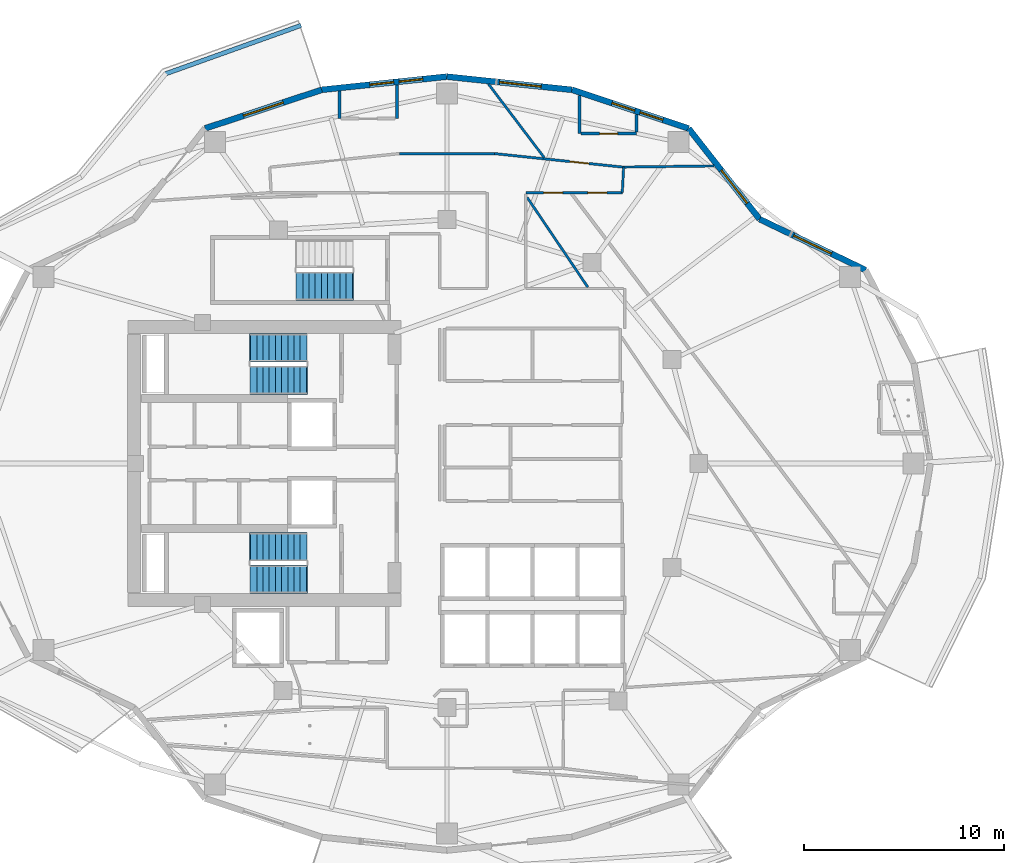
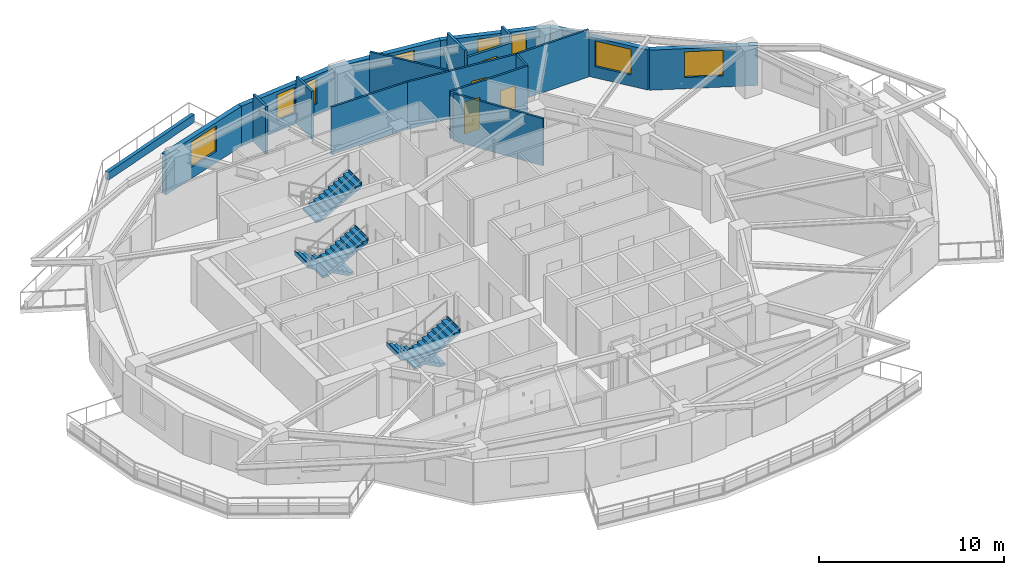
# One storey, part 7 of 17: 19 walls, 8 windows, 5 stair flights, 4 doors, 12 openings, 3 elements without a shape of their own.
"""IFC4 building model written with IfcOpenShell, lengths in metres."""

import ifcopenshell
import ifcopenshell.guid

model = None  # the IFC model being written
_history = None  # IfcOwnerHistory: only IFC2X3 demands one
_inside = {}  # id of a spatial element -> (the spatial element, [elements in it])
_under = {}  # id of a project, library or spatial element -> (it, [spatial elements below it])
_declared = {}  # id of a project -> (the project, [libraries it declares])
_typed = {}  # id of a type object -> (the type object, [elements of that type])
_made_of = {}  # id of a material, layer set ... -> (it, [elements and type objects made of it])


def new_model(schema):
    """Start an empty IFC model of exactly this schema.

    Asked for "IFC4X3", IfcOpenShell would pick the latest addendum, in which some entities
    have other attributes; the version numbers below select the first issue.
    IFC2X3 requires an IfcOwnerHistory on every rooted entity: one is made here for all.
    """
    global model, _history
    if schema == "IFC4X3":
        model = ifcopenshell.file(schema_version=(4, 3, 0, 0))
    else:
        model = ifcopenshell.file(schema=schema)
    _inside.clear()
    _under.clear()
    _declared.clear()
    _typed.clear()
    _made_of.clear()
    _history = None
    if model.schema == "IFC2X3":
        org = make("IfcOrganization", Name="unknown")
        user = make(
            "IfcPersonAndOrganization",
            ThePerson=make("IfcPerson", FamilyName="unknown"),
            TheOrganization=org,
        )
        app = make(
            "IfcApplication",
            ApplicationDeveloper=org,
            Version="unknown",
            ApplicationFullName="unknown",
            ApplicationIdentifier="unknown",
        )
        _history = make(
            "IfcOwnerHistory",
            OwningUser=user,
            OwningApplication=app,
            ChangeAction="ADDED",
            CreationDate=0,
        )
    return model


def make(cls, **values):
    """One entity of the class cls with the attributes given. An attribute that is None is left unset."""
    return model.create_entity(
        cls, **{name: value for name, value in values.items() if value is not None}
    )


def rooted(cls, **values):
    """An entity with a GlobalId (a new one), such as an element, a storey or a relation."""
    return make(cls, GlobalId=ifcopenshell.guid.new(), OwnerHistory=_history, **values)


def si_unit(unit_type, name, prefix=None):
    """IfcSIUnit, for example si_unit("LENGTHUNIT", "METRE", prefix="MILLI")."""
    return make("IfcSIUnit", UnitType=unit_type, Prefix=prefix, Name=name)


def assignment(units):
    """IfcUnitAssignment: the units of a project."""
    return None if units is None else make("IfcUnitAssignment", Units=units)


def point(xyz):
    """IfcCartesianPoint."""
    return None if xyz is None else make("IfcCartesianPoint", Coordinates=xyz)


def direction(xyz):
    """IfcDirection."""
    return None if xyz is None else make("IfcDirection", DirectionRatios=xyz)


def frame(location, z_axis=None, x_axis=None):
    """IfcAxis2Placement3D, a coordinate frame: its origin and axes. An axis left out is left unset."""
    return make(
        "IfcAxis2Placement3D",
        Location=point(location),
        Axis=direction(z_axis),
        RefDirection=direction(x_axis),
    )


def frame_2d(location, x_axis=None):
    """IfcAxis2Placement2D, a coordinate frame in the plane: its origin and x axis."""
    return make(
        "IfcAxis2Placement2D", Location=point(location), RefDirection=direction(x_axis)
    )


def origin():
    """The frame at (0, 0, 0) with its axes left unset."""
    return frame((0.0, 0.0, 0.0))


def place(relative_to, where):
    """IfcLocalPlacement: puts the frame where relative to a parent placement (None: the world)."""
    return make(
        "IfcLocalPlacement", PlacementRelTo=relative_to, RelativePlacement=where
    )


def context(
    kind, dimensions, precision=None, world=None, true_north=None, identifier=None
):
    """IfcGeometricRepresentationContext, for example the 3D "Model" context."""
    return make(
        "IfcGeometricRepresentationContext",
        ContextIdentifier=identifier,
        ContextType=kind,
        CoordinateSpaceDimension=dimensions,
        Precision=precision,
        WorldCoordinateSystem=world,
        TrueNorth=true_north,
    )


def subcontext(parent, identifier, kind, view, scale=None):
    """IfcGeometricRepresentationSubContext, for example "Body" below "Model"."""
    return make(
        "IfcGeometricRepresentationSubContext",
        ContextIdentifier=identifier,
        ContextType=kind,
        ParentContext=parent,
        TargetScale=scale,
        TargetView=view,
    )


def project(units=None, contexts=None):
    """IfcProject with its units and contexts."""
    return rooted(
        "IfcProject",
        Name="project",
        RepresentationContexts=contexts,
        UnitsInContext=assignment(units),
    )


def spatial(cls, under=None, at=None, **own):
    """A site, building, storey or space (cls), placed at a placement, below another one or the project."""
    s = rooted(cls, ObjectPlacement=at, **own)
    if under is not None:
        _under.setdefault(under.id(), (under, []))[1].append(s)
    return s


def polyline(points):
    """IfcPolyline through the points."""
    return make("IfcPolyline", Points=[point(p) for p in points])


def profile(cls, at=None, kind="AREA", **sizes):
    """A parametric profile (cls). Its sizes go by their IFC names, for example OverallWidth=200.0."""
    return make(cls, ProfileType=kind, Position=at, **sizes)


def rectangle(**sizes):
    """IfcRectangleProfileDef."""
    return profile("IfcRectangleProfileDef", **sizes)


def outline(outer, holes=None, kind="AREA"):
    """IfcArbitraryClosedProfileDef: a profile drawn as a closed curve; with holes, ...WithVoids."""
    if holes is None:
        return make("IfcArbitraryClosedProfileDef", ProfileType=kind, OuterCurve=outer)
    return make(
        "IfcArbitraryProfileDefWithVoids",
        ProfileType=kind,
        OuterCurve=outer,
        InnerCurves=holes,
    )


def extrude(swept, where, along, depth):
    """IfcExtrudedAreaSolid: the profile swept, set in the frame where, extruded along a direction by depth."""
    return make(
        "IfcExtrudedAreaSolid",
        SweptArea=swept,
        Position=where,
        ExtrudedDirection=direction(along),
        Depth=depth,
    )


def shape(context_of_items, identifier, shape_type, items):
    """IfcShapeRepresentation: the items that make up one representation, for example the "Body"."""
    return make(
        "IfcShapeRepresentation",
        ContextOfItems=context_of_items,
        RepresentationIdentifier=identifier,
        RepresentationType=shape_type,
        Items=items,
    )


def material(Name=None, Category=None):
    """IfcMaterial."""
    return make("IfcMaterial", Name=Name, Category=Category)


def layer(
    of_material, thickness, ventilated=None, Name=None, Category=None, Priority=None
):
    """IfcMaterialLayer: one layer of a wall or slab, of a material (None: an air gap)."""
    return make(
        "IfcMaterialLayer",
        Material=of_material,
        LayerThickness=thickness,
        IsVentilated=ventilated,
        Name=Name,
        Category=Category,
        Priority=Priority,
    )


def layer_set(layers, Name=None):
    """IfcMaterialLayerSet."""
    return make("IfcMaterialLayerSet", MaterialLayers=layers, LayerSetName=Name)


def made_of(thing, what):
    """Note that an element or type object is made of a material, layer set ...; save() writes the relation."""
    if what is not None:
        _made_of.setdefault(what.id(), (what, []))[1].append(thing)
    return thing


def type_object(cls, material=None, **own):
    """A type object (cls), such as IfcWallType, which elements share."""
    return made_of(rooted(cls, **own), material)


def element(
    cls,
    number,
    at=None,
    inside=None,
    cuts=None,
    type_object=None,
    material=None,
    context=None,
    identifier="Body",
    shape_type=None,
    held_by="IfcProductDefinitionShape",
    body=None,
    shapes=None,
    **own,
):
    """One element of the class cls, such as IfcWall. Its Tag is "e" and its number.

    at: its placement. inside: the storey or other place that contains it. cuts: it is an
    opening in that element (IfcRelVoidsElement). A single representation is given by context,
    identifier, shape_type and body (its items); several are given by shapes. held_by: the class
    of the entity that holds the representations. save() writes the other relations.
    """
    e = rooted(cls, Tag="e%d" % number, ObjectPlacement=at, **own)
    if body is not None:
        shapes = [shape(context, identifier, shape_type, body)]
    if shapes is not None:
        e.Representation = make(held_by, Representations=shapes)
    if inside is not None:
        _inside.setdefault(inside.id(), (inside, []))[1].append(e)
    if cuts is not None:
        rooted(
            "IfcRelVoidsElement", RelatingBuildingElement=cuts, RelatedOpeningElement=e
        )
    if type_object is not None:
        _typed.setdefault(type_object.id(), (type_object, []))[1].append(e)
    return made_of(e, material)


def fill(opening, filler):
    """IfcRelFillsElement: the door or window that sits in an opening."""
    return rooted(
        "IfcRelFillsElement",
        RelatingOpeningElement=opening,
        RelatedBuildingElement=filler,
    )


def aggregate(whole, parts):
    """IfcRelAggregates: a whole, such as a stair, and the parts it consists of."""
    return rooted("IfcRelAggregates", RelatingObject=whole, RelatedObjects=parts)


def save(model, path):
    """Write the relations noted so far, then the file.

    IfcRelAggregates (storeys below a building ...), IfcRelContainedInSpatialStructure (elements
    in a storey), IfcRelDefinesByType, IfcRelAssociatesMaterial and IfcRelDeclares: one each for
    every whole, place, type object, material and project.
    """
    for whole, parts in _under.values():
        aggregate(whole, parts)
    for where, things in _inside.values():
        rooted(
            "IfcRelContainedInSpatialStructure",
            RelatedElements=things,
            RelatingStructure=where,
        )
    for kind, things in _typed.values():
        rooted("IfcRelDefinesByType", RelatedObjects=things, RelatingType=kind)
    for what, things in _made_of.values():
        rooted("IfcRelAssociatesMaterial", RelatedObjects=things, RelatingMaterial=what)
    for by, libraries in _declared.values():
        rooted("IfcRelDeclares", RelatingContext=by, RelatedDefinitions=libraries)
    model.write(path)


model = new_model("IFC4")

# Units and contexts
model_context = context("Model", 3, precision=1e-05, world=origin(), true_north=direction((0.0, 1.0)))
body_context = subcontext(model_context, "Body", "Model", "MODEL_VIEW")
ifc_project = project(units=[si_unit("LENGTHUNIT", "METRE"), si_unit("AREAUNIT", "SQUARE_METRE"), si_unit("VOLUMEUNIT", "CUBIC_METRE"), si_unit("PLANEANGLEUNIT", "RADIAN"), si_unit("MASSUNIT", "GRAM", prefix="KILO")], contexts=[model_context])

# Site, building, storey
site_placement = place(None, origin())
site = spatial("IfcSite", under=ifc_project, at=site_placement, CompositionType="ELEMENT")
building_placement = place(site_placement, origin())
building = spatial("IfcBuilding", under=site, at=building_placement, Name="Kolvaren Gate Tower and Convention Centre", CompositionType="ELEMENT")
storey_placement = place(building_placement, frame((0.0, 0.0, 125.699951171875)))
storey = spatial("IfcBuildingStorey", under=building, at=storey_placement, Name="L31", CompositionType="ELEMENT", Elevation=125.699951171875)

# Wall, openings, doors
ifc_material_1 = material(Name="Fire-Rated Acoustic Gypsum Stud Partition", Category="gypsum")
ifc_layer_1 = layer(ifc_material_1, 0.1201171875)
ifc_layer_set_1 = layer_set([ifc_layer_1], Name="Fire-Rated Acoustic Gypsum Stud Partition")
wall_type_1 = type_object("IfcWallType", Name="ARCH-WL-PART-120", PredefinedType="PARTITIONING", material=ifc_layer_set_1)
wall_1_placement = place(storey_placement, frame((34.080078125, 40.550048828125, 0.0), z_axis=(0.0, 0.0, 1.0), x_axis=(1.0, 0.0, 0.0)))
wall_1 = element("IfcWall", 1, at=wall_1_placement, inside=storey, type_object=wall_type_1, Name="Interior Partition WL-L31-INT-049", PredefinedType="PARTITIONING", context=body_context, shape_type="SweptSolid", body=[
    extrude(rectangle(XDim=4.81982421875, YDim=0.1201171875, at=frame_2d((2.409912109375, 0.0))), origin(), (0.0, 0.0, 1.0), 3.130126953125),
])
opening_1_placement = place(wall_1_placement, frame((0.881103515625, 0.0, 0.0)))
opening_1 = element("IfcOpeningElement", 2, at=opening_1_placement, cuts=wall_1, Name="Opening DR-01", PredefinedType="OPENING", context=body_context, shape_type="SweptSolid", body=[
    extrude(rectangle(XDim=0.949951171875, YDim=2.10009765625, at=frame_2d((0.47509765625, 1.050048828125))), frame((0.0, 0.070068359375, 0.0), z_axis=(0.0, -1.0, 0.0), x_axis=(1.0, 0.0, 0.0)), (0.0, 0.0, 1.0), 0.14013671875),
])
opening_2_placement = place(wall_1_placement, frame((3.099853515625, 0.0, 0.0)))
opening_2 = element("IfcOpeningElement", 3, at=opening_2_placement, cuts=wall_1, Name="Opening DR-01", PredefinedType="OPENING", context=body_context, shape_type="SweptSolid", body=[
    extrude(rectangle(XDim=0.949951171875, YDim=2.10009765625, at=frame_2d((0.47509765625, 1.050048828125))), frame((0.0, 0.070068359375, 0.0), z_axis=(0.0, -1.0, 0.0), x_axis=(1.0, 0.0, 0.0)), (0.0, 0.0, 1.0), 0.14013671875),
])
ifc_material_2 = material(Name="Painted Architectural Steelwork ASTM A500 Grade C 345 MPa", Category="steel")
door_type_1 = type_object("IfcDoorType", Name="ARCH-DR-RISER-950", OperationType="SINGLE_SWING_RIGHT", PredefinedType="DOOR", material=ifc_material_2)
door_1_placement = place(opening_1_placement, origin())
door_1 = element("IfcDoor", 4, at=door_1_placement, inside=storey, type_object=door_type_1, Name="Deluxe Hotel Suite (HTL-L31-05) Door", OperationType="SINGLE_SWING_RIGHT", OverallHeight=2.10009765625, OverallWidth=0.949951171875, PredefinedType="DOOR", context=body_context, shape_type="SweptSolid", body=[
    extrude(rectangle(XDim=0.949951171875, YDim=2.10009765625, at=frame_2d((0.47509765625, 1.050048828125))), frame((0.0, 0.02490234375, 0.0), z_axis=(0.0, -1.0, 0.0), x_axis=(1.0, 0.0, 0.0)), (0.0, 0.0, 1.0), 0.050048828125),
])
fill(opening_1, door_1)
door_2_placement = place(opening_2_placement, origin())
door_2 = element("IfcDoor", 5, at=door_2_placement, inside=storey, type_object=door_type_1, Name="Deluxe Hotel Suite (HTL-L31-06) Door", OperationType="SINGLE_SWING_LEFT", OverallHeight=2.10009765625, OverallWidth=0.949951171875, PredefinedType="DOOR", context=body_context, shape_type="SweptSolid", body=[
    extrude(rectangle(XDim=0.949951171875, YDim=2.10009765625, at=frame_2d((0.47509765625, 1.050048828125))), frame((0.0, 0.02490234375, 0.0), z_axis=(0.0, -1.0, 0.0), x_axis=(1.0, 0.0, 0.0)), (0.0, 0.0, 1.0), 0.050048828125),
])
fill(opening_2, door_2)

# Wall
wall_2_placement = place(storey_placement, frame((27.7490234375, 42.5, 0.0), z_axis=(0.0, 0.0, 1.0), x_axis=(1.0, 0.0, 0.0)))
element("IfcWall", 6, at=wall_2_placement, inside=storey, type_object=wall_type_1, Name="Interior Partition WL-L31-INT-051", PredefinedType="PARTITIONING", context=body_context, shape_type="SweptSolid", body=[
    extrude(rectangle(XDim=4.751953125, YDim=0.1201171875, at=frame_2d((2.3759765625, 0.0))), origin(), (0.0, 0.0, 1.0), 3.130126953125),
])

# Wall, opening, door
wall_3_placement = place(storey_placement, frame((32.5009765625, 42.5, 0.0), z_axis=(0.0, 0.0, 1.0), x_axis=(0.994501131299, -0.104725831799, 0.0)))
wall_3 = element("IfcWall", 7, at=wall_3_placement, inside=storey, type_object=wall_type_1, Name="Interior Partition WL-L31-INT-052", PredefinedType="PARTITIONING", context=body_context, shape_type="SweptSolid", body=[
    extrude(rectangle(XDim=6.501708984375, YDim=0.1201171875, at=frame_2d((3.2509765625, 0.0))), origin(), (0.0, 0.0, 1.0), 3.130126953125),
])
opening_3_placement = place(wall_3_placement, frame((3.805908203125, 0.0, 0.0)))
opening_3 = element("IfcOpeningElement", 8, at=opening_3_placement, cuts=wall_3, Name="Opening DR-01", PredefinedType="OPENING", context=body_context, shape_type="SweptSolid", body=[
    extrude(rectangle(XDim=0.949951171875, YDim=2.10009765625, at=frame_2d((0.47509765625, 1.050048828125))), frame((0.0, 0.070068359375, 0.0), z_axis=(0.0, -1.0, 0.0), x_axis=(1.0, 0.0, 0.0)), (0.0, 0.0, 1.0), 0.14013671875),
])
door_3_placement = place(opening_3_placement, origin())
door_3 = element("IfcDoor", 9, at=door_3_placement, inside=storey, type_object=door_type_1, Name="Deluxe Hotel Suite (HTL-L31-07) Door", OperationType="SINGLE_SWING_RIGHT", OverallHeight=2.10009765625, OverallWidth=0.949951171875, PredefinedType="DOOR", context=body_context, shape_type="SweptSolid", body=[
    extrude(rectangle(XDim=0.949951171875, YDim=2.10009765625, at=frame_2d((0.47509765625, 1.050048828125))), frame((0.0, 0.02490234375, 0.0), z_axis=(0.0, -1.0, 0.0), x_axis=(1.0, 0.0, 0.0)), (0.0, 0.0, 1.0), 0.050048828125),
])
fill(opening_3, door_3)

# Walls
wall_4_placement = place(storey_placement, frame((38.89990234375, 40.550048828125, 0.0), z_axis=(0.0, 0.0, 1.0), x_axis=(0.052851358225, 0.99860239031, 0.0)))
element("IfcWall", 10, at=wall_4_placement, inside=storey, type_object=wall_type_1, Name="Interior Partition WL-L31-INT-053", PredefinedType="PARTITIONING", context=body_context, shape_type="SweptSolid", body=[
    extrude(rectangle(XDim=1.270263671875, YDim=0.1201171875, at=frame_2d((0.63525390625, 0.0))), origin(), (0.0, 0.0, 1.0), 3.130126953125),
])
wall_5_placement = place(storey_placement, frame((34.14208984375, 40.308349609375, 0.0), z_axis=(0.0, 0.0, 1.0), x_axis=(0.559921687953, -0.828545534874, 0.0)))
element("IfcWall", 11, at=wall_5_placement, inside=storey, type_object=wall_type_1, Name="Interior Partition WL-L31-INT-066", PredefinedType="PARTITIONING", context=body_context, shape_type="SweptSolid", body=[
    extrude(rectangle(XDim=5.4267578125, YDim=0.1201171875, at=frame_2d((2.71337890625, 0.0))), origin(), (0.0, 0.0, 1.0), 3.130126953125),
])
wall_6_placement = place(storey_placement, frame((32.207275390625, 45.977783203125, 0.0), z_axis=(0.0, 0.0, 1.0), x_axis=(0.604029804545, -0.796961727576, 0.0)))
element("IfcWall", 12, at=wall_6_placement, inside=storey, type_object=wall_type_1, Name="Interior Partition WL-L31-INT-068", PredefinedType="PARTITIONING", context=body_context, shape_type="SweptSolid", body=[
    extrude(rectangle(XDim=4.614990234375, YDim=0.1201171875, at=frame_2d((2.3076171875, 0.0))), origin(), (0.0, 0.0, 1.0), 3.130126953125),
])
wall_7_placement = place(storey_placement, frame((38.967529296875, 41.824951171875, 0.0), z_axis=(0.0, 0.0, 1.0), x_axis=(0.999918287649, 0.012783505997, 0.0)))
element("IfcWall", 13, at=wall_7_placement, inside=storey, type_object=wall_type_1, Name="Interior Partition WL-L31-INT-073", PredefinedType="PARTITIONING", context=body_context, shape_type="SweptSolid", body=[
    extrude(rectangle(XDim=4.5263671875, YDim=0.1201171875, at=frame_2d((2.26318359375, 0.0))), origin(), (0.0, 0.0, 1.0), 3.130126953125),
])
ifc_material_3 = material(Name="Piedmont Cream Honed Limestone Cladding", Category="masonry")
ifc_layer_2 = layer(ifc_material_3, 0.219970703125)
ifc_layer_set_2 = layer_set([ifc_layer_2], Name="Piedmont Cream Honed Limestone Cladding")
wall_type_2 = type_object("IfcWallType", Name="ARCH-WL-PLANTER-220", PredefinedType="PARAPET", material=ifc_layer_set_2)
wall_8_placement = place(storey_placement, frame((16.01806640625, 46.476806640625, 0.0), z_axis=(0.0, 0.0, 1.0), x_axis=(0.941628873241, 0.336652736627, 0.0)))
element("IfcWall", 14, at=wall_8_placement, inside=storey, type_object=wall_type_2, Name="Vertical-Forest Balcony Stone Planter Kerb PK-L31-1.1", PredefinedType="PARAPET", context=body_context, shape_type="SweptSolid", body=[
    extrude(rectangle(XDim=7.2353515625, YDim=0.219970703125, at=frame_2d((3.61767578125, 0.0))), origin(), (0.0, 0.0, 1.0), 0.52001953125),
])

# Wall, opening, window
ifc_layer_3 = layer(ifc_material_3, 0.300048828125)
ifc_layer_set_3 = layer_set([ifc_layer_3], Name="Piedmont Cream Honed Limestone Cladding")
wall_type_3 = type_object("IfcWallType", Name="ARCH-WL-STONE-300", PredefinedType="SOLIDWALL", material=ifc_layer_set_3)
wall_9_placement = place(storey_placement, frame((45.768798828125, 39.222900390625, 0.0), z_axis=(0.0, 0.0, 1.0), x_axis=(0.901370184739, -0.433049408339, 0.0)))
wall_9 = element("IfcWall", 15, at=wall_9_placement, inside=storey, type_object=wall_type_3, Name="Tower L31 Honed Stone Spandrel Wall EW-02", PredefinedType="SOLIDWALL", context=body_context, shape_type="SweptSolid", body=[
    extrude(rectangle(XDim=5.883544921875, YDim=0.300048828125, at=frame_2d((2.94189453125, 0.0))), origin(), (0.0, 0.0, 1.0), 2.653076171875),
])
opening_4_placement = place(wall_9_placement, frame((1.89208984375, 0.0, 0.739990234375)))
opening_4 = element("IfcOpeningElement", 16, at=opening_4_placement, cuts=wall_9, Name="Opening W-02", PredefinedType="OPENING", context=body_context, shape_type="SweptSolid", body=[
    extrude(rectangle(XDim=2.10009765625, YDim=1.699951171875, at=frame_2d((1.050048828125, 0.85009765625))), frame((0.0, 0.159912109375, 0.0), z_axis=(0.0, -1.0, 0.0), x_axis=(1.0, 0.0, 0.0)), (0.0, 0.0, 1.0), 0.320068359375),
])
ifc_material_4 = material(Name="Low-E Triple Insulated Glazing Unit 44 mm", Category="glass")
window_type_1 = type_object("IfcWindowType", Name="ARCH-WN-HTL-2100", PartitioningType="SINGLE_PANEL", PredefinedType="WINDOW", material=ifc_material_4)
window_1_placement = place(opening_4_placement, origin())
window_1 = element("IfcWindow", 17, at=window_1_placement, inside=storey, type_object=window_type_1, Name="Tower L31 Punched Stone Facade Window W-02", OverallHeight=1.699951171875, OverallWidth=2.10009765625, PartitioningType="SINGLE_PANEL", PredefinedType="WINDOW", context=body_context, shape_type="SweptSolid", body=[
    extrude(rectangle(XDim=2.10009765625, YDim=1.699951171875, at=frame_2d((1.050048828125, 0.85009765625))), frame((0.0, 0.030029296875, 0.0), z_axis=(0.0, -1.0, 0.0), x_axis=(1.0, 0.0, 0.0)), (0.0, 0.0, 1.0), 0.06005859375),
])
fill(opening_4, window_1)

wall_10_placement = place(storey_placement, frame((42.21875, 43.757568359375, 0.0), z_axis=(0.0, 0.0, 1.0), x_axis=(0.616435134162, -0.787405693001, 0.0)))
wall_10 = element("IfcWall", 18, at=wall_10_placement, inside=storey, type_object=wall_type_3, Name="Tower L31 Honed Stone Spandrel Wall EW-03", PredefinedType="SOLIDWALL", context=body_context, shape_type="SweptSolid", body=[
    extrude(rectangle(XDim=5.759033203125, YDim=0.300048828125, at=frame_2d((2.87939453125, 0.0))), origin(), (0.0, 0.0, 1.0), 2.653076171875),
])
opening_5_placement = place(wall_10_placement, frame((2.64990234375, 0.0, 0.739990234375)))
opening_5 = element("IfcOpeningElement", 19, at=opening_5_placement, cuts=wall_10, Name="Opening W-02", PredefinedType="OPENING", context=body_context, shape_type="SweptSolid", body=[
    extrude(rectangle(XDim=2.10009765625, YDim=1.699951171875, at=frame_2d((1.050048828125, 0.85009765625))), frame((0.0, 0.159912109375, 0.0), z_axis=(0.0, -1.0, 0.0), x_axis=(1.0, 0.0, 0.0)), (0.0, 0.0, 1.0), 0.320068359375),
])
window_2_placement = place(opening_5_placement, origin())
window_2 = element("IfcWindow", 20, at=window_2_placement, inside=storey, type_object=window_type_1, Name="Tower L31 Punched Stone Facade Window W-03", OverallHeight=1.699951171875, OverallWidth=2.10009765625, PartitioningType="SINGLE_PANEL", PredefinedType="WINDOW", context=body_context, shape_type="SweptSolid", body=[
    extrude(rectangle(XDim=2.10009765625, YDim=1.699951171875, at=frame_2d((1.050048828125, 0.85009765625))), frame((0.0, 0.030029296875, 0.0), z_axis=(0.0, -1.0, 0.0), x_axis=(1.0, 0.0, 0.0)), (0.0, 0.0, 1.0), 0.06005859375),
])
fill(opening_5, window_2)

# Wall, openings, windows
wall_11_placement = place(storey_placement, frame((36.38525390625, 45.690673828125, 0.0), z_axis=(0.0, 0.0, 1.0), x_axis=(0.949238009374, -0.314558741032, 0.0)))
wall_11 = element("IfcWall", 21, at=wall_11_placement, inside=storey, type_object=wall_type_3, Name="Tower L31 Honed Stone Spandrel Wall EW-04", PredefinedType="SOLIDWALL", context=body_context, shape_type="SweptSolid", body=[
    extrude(rectangle(XDim=6.1455078125, YDim=0.300048828125, at=frame_2d((3.07275390625, 0.0))), origin(), (0.0, 0.0, 1.0), 2.653076171875),
])
opening_6_placement = place(wall_11_placement, frame((2.107177734375, 0.0, 0.739990234375)))
opening_6 = element("IfcOpeningElement", 22, at=opening_6_placement, cuts=wall_11, Name="Opening W-04", PredefinedType="OPENING", context=body_context, shape_type="SweptSolid", body=[
    extrude(rectangle(XDim=1.199951171875, YDim=1.699951171875, at=frame_2d((0.60009765625, 0.85009765625))), frame((0.0, 0.159912109375, 0.0), z_axis=(0.0, -1.0, 0.0), x_axis=(1.0, 0.0, 0.0)), (0.0, 0.0, 1.0), 0.320068359375),
])
opening_7_placement = place(wall_11_placement, frame((3.587890625, 0.0, 0.739990234375)))
opening_7 = element("IfcOpeningElement", 23, at=opening_7_placement, cuts=wall_11, Name="Opening W-04", PredefinedType="OPENING", context=body_context, shape_type="SweptSolid", body=[
    extrude(rectangle(XDim=1.199951171875, YDim=1.699951171875, at=frame_2d((0.60009765625, 0.85009765625))), frame((0.0, 0.159912109375, 0.0), z_axis=(0.0, -1.0, 0.0), x_axis=(1.0, 0.0, 0.0)), (0.0, 0.0, 1.0), 0.320068359375),
])
window_type_2 = type_object("IfcWindowType", Name="ARCH-WN-NARROW-1200", PartitioningType="SINGLE_PANEL", PredefinedType="WINDOW", material=ifc_material_4)
window_3_placement = place(opening_6_placement, origin())
window_3 = element("IfcWindow", 24, at=window_3_placement, inside=storey, type_object=window_type_2, Name="Tower L31 Punched Stone Facade Window W-04", OverallHeight=1.699951171875, OverallWidth=1.199951171875, PartitioningType="SINGLE_PANEL", PredefinedType="WINDOW", context=body_context, shape_type="SweptSolid", body=[
    extrude(rectangle(XDim=1.199951171875, YDim=1.699951171875, at=frame_2d((0.60009765625, 0.85009765625))), frame((0.0, 0.030029296875, 0.0), z_axis=(0.0, -1.0, 0.0), x_axis=(1.0, 0.0, 0.0)), (0.0, 0.0, 1.0), 0.06005859375),
])
fill(opening_6, window_3)
window_4_placement = place(opening_7_placement, origin())
window_4 = element("IfcWindow", 25, at=window_4_placement, inside=storey, type_object=window_type_2, Name="Tower L31 Punched Stone Facade Window W-04B", OverallHeight=1.699951171875, OverallWidth=1.199951171875, PartitioningType="SINGLE_PANEL", PredefinedType="WINDOW", context=body_context, shape_type="SweptSolid", body=[
    extrude(rectangle(XDim=1.199951171875, YDim=1.699951171875, at=frame_2d((0.60009765625, 0.85009765625))), frame((0.0, 0.030029296875, 0.0), z_axis=(0.0, -1.0, 0.0), x_axis=(1.0, 0.0, 0.0)), (0.0, 0.0, 1.0), 0.06005859375),
])
fill(opening_7, window_4)

# Wall, opening, window
wall_12_placement = place(storey_placement, frame((30.125, 46.35009765625, 0.0), z_axis=(0.0, 0.0, 1.0), x_axis=(0.994498012394, -0.104755445421, 0.0)))
wall_12 = element("IfcWall", 26, at=wall_12_placement, inside=storey, type_object=wall_type_3, Name="Tower L31 Honed Stone Spandrel Wall EW-05", PredefinedType="SOLIDWALL", context=body_context, shape_type="SweptSolid", body=[
    extrude(rectangle(XDim=6.294921875, YDim=0.300048828125, at=frame_2d((3.1474609375, 0.0))), origin(), (0.0, 0.0, 1.0), 2.653076171875),
])
opening_8_placement = place(wall_12_placement, frame((2.64990234375, 0.0, 0.739990234375)))
opening_8 = element("IfcOpeningElement", 27, at=opening_8_placement, cuts=wall_12, Name="Opening W-02", PredefinedType="OPENING", context=body_context, shape_type="SweptSolid", body=[
    extrude(rectangle(XDim=2.10009765625, YDim=1.699951171875, at=frame_2d((1.050048828125, 0.85009765625))), frame((0.0, 0.159912109375, 0.0), z_axis=(0.0, -1.0, 0.0), x_axis=(1.0, 0.0, 0.0)), (0.0, 0.0, 1.0), 0.320068359375),
])
window_5_placement = place(opening_8_placement, origin())
window_5 = element("IfcWindow", 28, at=window_5_placement, inside=storey, type_object=window_type_1, Name="Tower L31 Punched Stone Facade Window W-05", OverallHeight=1.699951171875, OverallWidth=2.10009765625, PartitioningType="SINGLE_PANEL", PredefinedType="WINDOW", context=body_context, shape_type="SweptSolid", body=[
    extrude(rectangle(XDim=2.10009765625, YDim=1.699951171875, at=frame_2d((1.050048828125, 0.85009765625))), frame((0.0, 0.030029296875, 0.0), z_axis=(0.0, -1.0, 0.0), x_axis=(1.0, 0.0, 0.0)), (0.0, 0.0, 1.0), 0.06005859375),
])
fill(opening_8, window_5)

# Wall, openings, windows
wall_13_placement = place(storey_placement, frame((23.86474609375, 45.690673828125, 0.0), z_axis=(0.0, 0.0, 1.0), x_axis=(0.994498012394, 0.104755445421, 0.0)))
wall_13 = element("IfcWall", 29, at=wall_13_placement, inside=storey, type_object=wall_type_3, Name="Tower L31 Honed Stone Spandrel Wall EW-06", PredefinedType="SOLIDWALL", context=body_context, shape_type="SweptSolid", body=[
    extrude(rectangle(XDim=6.294921875, YDim=0.300048828125, at=frame_2d((3.1474609375, 0.0))), origin(), (0.0, 0.0, 1.0), 2.653076171875),
])
opening_9_placement = place(wall_13_placement, frame((2.42333984375, 0.0, 0.739990234375)))
opening_9 = element("IfcOpeningElement", 30, at=opening_9_placement, cuts=wall_13, Name="Opening W-04", PredefinedType="OPENING", context=body_context, shape_type="SweptSolid", body=[
    extrude(rectangle(XDim=1.199951171875, YDim=1.699951171875, at=frame_2d((0.60009765625, 0.85009765625))), frame((0.0, 0.159912109375, 0.0), z_axis=(0.0, -1.0, 0.0), x_axis=(1.0, 0.0, 0.0)), (0.0, 0.0, 1.0), 0.320068359375),
])
opening_10_placement = place(wall_13_placement, frame((3.889892578125, 0.0, 0.739990234375)))
opening_10 = element("IfcOpeningElement", 31, at=opening_10_placement, cuts=wall_13, Name="Opening W-04", PredefinedType="OPENING", context=body_context, shape_type="SweptSolid", body=[
    extrude(rectangle(XDim=1.199951171875, YDim=1.699951171875, at=frame_2d((0.60009765625, 0.85009765625))), frame((0.0, 0.159912109375, 0.0), z_axis=(0.0, -1.0, 0.0), x_axis=(1.0, 0.0, 0.0)), (0.0, 0.0, 1.0), 0.320068359375),
])
window_6_placement = place(opening_9_placement, origin())
window_6 = element("IfcWindow", 32, at=window_6_placement, inside=storey, type_object=window_type_2, Name="Tower L31 Punched Stone Facade Window W-06", OverallHeight=1.699951171875, OverallWidth=1.199951171875, PartitioningType="SINGLE_PANEL", PredefinedType="WINDOW", context=body_context, shape_type="SweptSolid", body=[
    extrude(rectangle(XDim=1.199951171875, YDim=1.699951171875, at=frame_2d((0.60009765625, 0.85009765625))), frame((0.0, 0.030029296875, 0.0), z_axis=(0.0, -1.0, 0.0), x_axis=(1.0, 0.0, 0.0)), (0.0, 0.0, 1.0), 0.06005859375),
])
fill(opening_9, window_6)
window_7_placement = place(opening_10_placement, origin())
window_7 = element("IfcWindow", 33, at=window_7_placement, inside=storey, type_object=window_type_2, Name="Tower L31 Punched Stone Facade Window W-06B", OverallHeight=1.699951171875, OverallWidth=1.199951171875, PartitioningType="SINGLE_PANEL", PredefinedType="WINDOW", context=body_context, shape_type="SweptSolid", body=[
    extrude(rectangle(XDim=1.199951171875, YDim=1.699951171875, at=frame_2d((0.60009765625, 0.85009765625))), frame((0.0, 0.030029296875, 0.0), z_axis=(0.0, -1.0, 0.0), x_axis=(1.0, 0.0, 0.0)), (0.0, 0.0, 1.0), 0.06005859375),
])
fill(opening_10, window_7)

# Wall, opening, window
wall_14_placement = place(storey_placement, frame((18.03125, 43.757568359375, 0.0), z_axis=(0.0, 0.0, 1.0), x_axis=(0.949238009374, 0.314558741032, 0.0)))
wall_14 = element("IfcWall", 34, at=wall_14_placement, inside=storey, type_object=wall_type_3, Name="Tower L31 Honed Stone Spandrel Wall EW-07", PredefinedType="SOLIDWALL", context=body_context, shape_type="SweptSolid", body=[
    extrude(rectangle(XDim=6.1455078125, YDim=0.300048828125, at=frame_2d((3.07275390625, 0.0))), origin(), (0.0, 0.0, 1.0), 2.653076171875),
])
opening_11_placement = place(wall_14_placement, frame((2.02294921875, 0.0, 0.739990234375)))
opening_11 = element("IfcOpeningElement", 35, at=opening_11_placement, cuts=wall_14, Name="Opening W-02", PredefinedType="OPENING", context=body_context, shape_type="SweptSolid", body=[
    extrude(rectangle(XDim=2.10009765625, YDim=1.699951171875, at=frame_2d((1.050048828125, 0.85009765625))), frame((0.0, 0.159912109375, 0.0), z_axis=(0.0, -1.0, 0.0), x_axis=(1.0, 0.0, 0.0)), (0.0, 0.0, 1.0), 0.320068359375),
])
window_8_placement = place(opening_11_placement, origin())
window_8 = element("IfcWindow", 36, at=window_8_placement, inside=storey, type_object=window_type_1, Name="Tower L31 Punched Stone Facade Window W-07", OverallHeight=1.699951171875, OverallWidth=2.10009765625, PartitioningType="SINGLE_PANEL", PredefinedType="WINDOW", context=body_context, shape_type="SweptSolid", body=[
    extrude(rectangle(XDim=2.10009765625, YDim=1.699951171875, at=frame_2d((1.050048828125, 0.85009765625))), frame((0.0, 0.030029296875, 0.0), z_axis=(0.0, -1.0, 0.0), x_axis=(1.0, 0.0, 0.0)), (0.0, 0.0, 1.0), 0.06005859375),
])
fill(opening_11, window_8)

# Walls
ifc_material_5 = material(Name="Moisture-Resistant Cement-Board Acoustic Partition", Category="gypsum")
ifc_layer_4 = layer(ifc_material_5, 0.14990234375)
ifc_layer_set_4 = layer_set([ifc_layer_4], Name="Moisture-Resistant Cement-Board Acoustic Partition")
wall_type_4 = type_object("IfcWallType", Name="ARCH-WL-WET-150", PredefinedType="PARTITIONING", material=ifc_layer_set_4)
wall_15_placement = place(storey_placement, frame((27.6201171875, 44.25, 0.0), z_axis=(0.0, 0.0, 1.0), x_axis=(0.0, 1.0, 0.0)))
element("IfcWall", 37, at=wall_15_placement, inside=storey, type_object=wall_type_4, Name="Interior Partition WL-L31-INT-004", PredefinedType="PARTITIONING", context=body_context, shape_type="SweptSolid", body=[
    extrude(rectangle(XDim=1.683349609375, YDim=0.14990234375, at=frame_2d((0.841796875, 0.0))), origin(), (0.0, 0.0, 1.0), 3.130126953125),
])
wall_16_placement = place(storey_placement, frame((36.75, 43.5, 0.0), z_axis=(0.0, 0.0, 1.0), x_axis=(0.0, 1.0, 0.0)))
element("IfcWall", 38, at=wall_16_placement, inside=storey, type_object=wall_type_4, Name="Interior Partition WL-L31-INT-077", PredefinedType="PARTITIONING", context=body_context, shape_type="SweptSolid", body=[
    extrude(rectangle(XDim=1.90966796875, YDim=0.14990234375, at=frame_2d((0.954833984375, 0.0))), origin(), (0.0, 0.0, 1.0), 3.130126953125),
])

# Wall, opening, door
wall_17_placement = place(storey_placement, frame((36.826904296875, 43.5, 0.0), z_axis=(0.0, 0.0, 1.0), x_axis=(1.0, 0.0, 0.0)))
wall_17 = element("IfcWall", 39, at=wall_17_placement, inside=storey, type_object=wall_type_4, Name="Interior Partition WL-L31-INT-078", PredefinedType="PARTITIONING", context=body_context, shape_type="SweptSolid", body=[
    extrude(rectangle(XDim=2.773193359375, YDim=0.14990234375, at=frame_2d((1.38671875, 0.0))), origin(), (0.0, 0.0, 1.0), 2.653076171875),
])
opening_12_placement = place(wall_17_placement, frame((0.9365234375, 0.0, 0.0)))
opening_12 = element("IfcOpeningElement", 40, at=opening_12_placement, cuts=wall_17, Name="Opening DW-01", PredefinedType="OPENING", context=body_context, shape_type="SweptSolid", body=[
    extrude(rectangle(XDim=0.89990234375, YDim=2.10009765625, at=frame_2d((0.449951171875, 1.050048828125))), frame((0.0, 0.0849609375, 0.0), z_axis=(0.0, -1.0, 0.0), x_axis=(1.0, 0.0, 0.0)), (0.0, 0.0, 1.0), 0.169921875),
])
ifc_material_6 = material(Name="FSC Andean Oak Engineered Veneer Door Leaf", Category="wood")
door_type_2 = type_object("IfcDoorType", Name="ARCH-DR-WC-900", OperationType="SINGLE_SWING_RIGHT", PredefinedType="DOOR", material=ifc_material_6)
door_4_placement = place(opening_12_placement, origin())
door_4 = element("IfcDoor", 41, at=door_4_placement, inside=storey, type_object=door_type_2, Name="En-suite Bathroom (HTL-L31-07) Door", OperationType="SINGLE_SWING_LEFT", OverallHeight=2.10009765625, OverallWidth=0.89990234375, PredefinedType="DOOR", context=body_context, shape_type="SweptSolid", body=[
    extrude(rectangle(XDim=0.89990234375, YDim=2.10009765625, at=frame_2d((0.449951171875, 1.050048828125))), frame((0.0, 0.02490234375, 0.0), z_axis=(0.0, -1.0, 0.0), x_axis=(1.0, 0.0, 0.0)), (0.0, 0.0, 1.0), 0.050048828125),
])
fill(opening_12, door_4)

# Walls
wall_18_placement = place(storey_placement, frame((39.60009765625, 43.576904296875, 0.0), z_axis=(0.0, 0.0, 1.0), x_axis=(0.0, 1.0, 0.0)))
element("IfcWall", 42, at=wall_18_placement, inside=storey, type_object=wall_type_4, Name="Interior Partition WL-L31-INT-079", PredefinedType="PARTITIONING", context=body_context, shape_type="SweptSolid", body=[
    extrude(rectangle(XDim=0.888427734375, YDim=0.14990234375, at=frame_2d((0.4443359375, 0.0))), origin(), (0.0, 0.0, 1.0), 3.130126953125),
])
wall_19_placement = place(storey_placement, frame((24.75, 44.25, 0.0), z_axis=(0.0, 0.0, 1.0), x_axis=(0.0, 1.0, 0.0)))
element("IfcWall", 43, at=wall_19_placement, inside=storey, type_object=wall_type_4, Name="Interior Partition WL-L31-INT-080", PredefinedType="PARTITIONING", context=body_context, shape_type="SweptSolid", body=[
    extrude(rectangle(XDim=1.381103515625, YDim=0.14990234375, at=frame_2d((0.6904296875, 0.0))), origin(), (0.0, 0.0, 1.0), 3.130126953125),
])

# Stair, stair flights
ifc_material_7 = material(Name="Concrete C50/60", Category="concrete")
stair_type = type_object("IfcStairType", Name="STR-STAIR-CORE", PredefinedType="HALF_TURN_STAIR", material=ifc_material_7)
stair_1_placement = place(storey_placement, origin())
stair_1 = element("IfcStair", 44, at=stair_1_placement, inside=storey, type_object=stair_type, Name="L31 Tower North Exit Stair ST-T1", PredefinedType="HALF_TURN_STAIR")
stair_flight_type = type_object("IfcStairFlightType", Name="STR-SFL-1420", PredefinedType="STRAIGHT", material=ifc_material_7)
stair_flight_1_placement = place(storey_placement, frame((23.10009765625, 32.7900390625, 0.0), z_axis=(0.0, 0.0, 1.0), x_axis=(-1.0, 0.0, 0.0)))
stair_flight_1 = element("IfcStairFlight", 45, at=stair_flight_1_placement, type_object=stair_flight_type, Name="ST-T1 flight 1", NumberOfRisers=10, NumberOfTreads=9, PredefinedType="STRAIGHT", RiserHeight=0.17, TreadLength=0.31, context=body_context, shape_type="SweptSolid", body=[
    extrude(outline(polyline([(-0.034912109375, 0.0), (-0.034912109375, 0.169921875), (0.31005859375, 0.169921875), (0.31005859375, 0.340087890625), (0.6201171875, 0.340087890625), (0.6201171875, 0.510009765625), (0.929931640625, 0.510009765625), (0.929931640625, 0.679931640625), (1.239990234375, 0.679931640625), (1.239990234375, 0.85009765625), (1.550048828125, 0.85009765625), (1.550048828125, 1.02001953125), (1.860107421875, 1.02001953125), (1.860107421875, 1.18994140625), (2.169921875, 1.18994140625), (2.169921875, 1.360107421875), (2.47998046875, 1.360107421875), (2.47998046875, 1.530029296875), (2.7900390625, 1.530029296875), (2.7900390625, 1.699951171875), (2.8349609375, 1.699951171875), (2.8349609375, 1.5400390625), (2.7900390625, 1.359130859375), (0.311767578125, 0.0), (-0.034912109375, 0.0)])), frame((0.0, 0.7099609375, 0.0), z_axis=(0.0, -1.0, 0.0), x_axis=(1.0, 0.0, 0.0)), (0.0, 0.0, 1.0), 1.419921875),
])
stair_flight_2_placement = place(storey_placement, frame((20.31005859375, 31.169921875, 1.699951171875), z_axis=(0.0, 0.0, 1.0), x_axis=(1.0, 0.0, 0.0)))
stair_flight_2 = element("IfcStairFlight", 46, at=stair_flight_2_placement, type_object=stair_flight_type, Name="ST-T1 flight 2", NumberOfRisers=10, NumberOfTreads=9, PredefinedType="STRAIGHT", RiserHeight=0.17, TreadLength=0.31, context=body_context, shape_type="SweptSolid", body=[
    extrude(outline(polyline([(-0.034912109375, 0.0), (-0.034912109375, 0.169921875), (0.31005859375, 0.169921875), (0.31005859375, 0.340087890625), (0.6201171875, 0.340087890625), (0.6201171875, 0.510009765625), (0.929931640625, 0.510009765625), (0.929931640625, 0.679931640625), (1.239990234375, 0.679931640625), (1.239990234375, 0.85009765625), (1.550048828125, 0.85009765625), (1.550048828125, 1.02001953125), (1.860107421875, 1.02001953125), (1.860107421875, 1.18994140625), (2.169921875, 1.18994140625), (2.169921875, 1.360107421875), (2.47998046875, 1.360107421875), (2.47998046875, 1.530029296875), (2.7900390625, 1.530029296875), (2.7900390625, 1.699951171875), (2.8349609375, 1.699951171875), (2.8349609375, 1.5400390625), (2.7900390625, 1.359130859375), (0.311767578125, 0.0), (-0.034912109375, 0.0)])), frame((0.0, 0.7099609375, 0.0), z_axis=(0.0, -1.0, 0.0), x_axis=(1.0, 0.0, 0.0)), (0.0, 0.0, 1.0), 1.419921875),
])
aggregate(stair_1, [stair_flight_1, stair_flight_2])

stair_2_placement = place(storey_placement, origin())
stair_2 = element("IfcStair", 47, at=stair_2_placement, inside=storey, type_object=stair_type, Name="L31 Tower South Exit Stair ST-T2", PredefinedType="HALF_TURN_STAIR")
stair_flight_3_placement = place(storey_placement, frame((23.10009765625, 22.830078125, 0.0), z_axis=(0.0, 0.0, 1.0), x_axis=(-1.0, 0.0, 0.0)))
stair_flight_3 = element("IfcStairFlight", 48, at=stair_flight_3_placement, type_object=stair_flight_type, Name="ST-T2 flight 1", NumberOfRisers=10, NumberOfTreads=9, PredefinedType="STRAIGHT", RiserHeight=0.17, TreadLength=0.31, context=body_context, shape_type="SweptSolid", body=[
    extrude(outline(polyline([(-0.034912109375, 0.0), (-0.034912109375, 0.169921875), (0.31005859375, 0.169921875), (0.31005859375, 0.340087890625), (0.6201171875, 0.340087890625), (0.6201171875, 0.510009765625), (0.929931640625, 0.510009765625), (0.929931640625, 0.679931640625), (1.239990234375, 0.679931640625), (1.239990234375, 0.85009765625), (1.550048828125, 0.85009765625), (1.550048828125, 1.02001953125), (1.860107421875, 1.02001953125), (1.860107421875, 1.18994140625), (2.169921875, 1.18994140625), (2.169921875, 1.360107421875), (2.47998046875, 1.360107421875), (2.47998046875, 1.530029296875), (2.7900390625, 1.530029296875), (2.7900390625, 1.699951171875), (2.8349609375, 1.699951171875), (2.8349609375, 1.5400390625), (2.7900390625, 1.359130859375), (0.311767578125, 0.0), (-0.034912109375, 0.0)])), frame((0.0, 0.7099609375, 0.0), z_axis=(0.0, -1.0, 0.0), x_axis=(1.0, 0.0, 0.0)), (0.0, 0.0, 1.0), 1.419921875),
])
stair_flight_4_placement = place(storey_placement, frame((20.31005859375, 21.2099609375, 1.699951171875), z_axis=(0.0, 0.0, 1.0), x_axis=(1.0, 0.0, 0.0)))
stair_flight_4 = element("IfcStairFlight", 49, at=stair_flight_4_placement, type_object=stair_flight_type, Name="ST-T2 flight 2", NumberOfRisers=10, NumberOfTreads=9, PredefinedType="STRAIGHT", RiserHeight=0.17, TreadLength=0.31, context=body_context, shape_type="SweptSolid", body=[
    extrude(outline(polyline([(-0.034912109375, 0.0), (-0.034912109375, 0.169921875), (0.31005859375, 0.169921875), (0.31005859375, 0.340087890625), (0.6201171875, 0.340087890625), (0.6201171875, 0.510009765625), (0.929931640625, 0.510009765625), (0.929931640625, 0.679931640625), (1.239990234375, 0.679931640625), (1.239990234375, 0.85009765625), (1.550048828125, 0.85009765625), (1.550048828125, 1.02001953125), (1.860107421875, 1.02001953125), (1.860107421875, 1.18994140625), (2.169921875, 1.18994140625), (2.169921875, 1.360107421875), (2.47998046875, 1.360107421875), (2.47998046875, 1.530029296875), (2.7900390625, 1.530029296875), (2.7900390625, 1.699951171875), (2.8349609375, 1.699951171875), (2.8349609375, 1.5400390625), (2.7900390625, 1.359130859375), (0.311767578125, 0.0), (-0.034912109375, 0.0)])), frame((0.0, 0.7099609375, 0.0), z_axis=(0.0, -1.0, 0.0), x_axis=(1.0, 0.0, 0.0)), (0.0, 0.0, 1.0), 1.419921875),
])
aggregate(stair_2, [stair_flight_3, stair_flight_4])

# Stair, stair flight
stair_3_placement = place(storey_placement, origin())
stair_3 = element("IfcStair", 50, at=stair_3_placement, inside=storey, type_object=stair_type, Name="L31 Tower Mid-Zone Exit Stair ST-T3", PredefinedType="HALF_TURN_STAIR")
stair_flight_5_placement = place(storey_placement, frame((22.610107421875, 35.8701171875, 1.699951171875), z_axis=(0.0, 0.0, 1.0), x_axis=(1.0, 0.0, 0.0)))
stair_flight_5 = element("IfcStairFlight", 51, at=stair_flight_5_placement, type_object=stair_flight_type, Name="ST-T3 flight 2", NumberOfRisers=10, NumberOfTreads=9, PredefinedType="STRAIGHT", RiserHeight=0.17, TreadLength=0.31, context=body_context, shape_type="SweptSolid", body=[
    extrude(outline(polyline([(-0.034912109375, 0.0), (-0.034912109375, 0.169921875), (0.31005859375, 0.169921875), (0.31005859375, 0.340087890625), (0.6201171875, 0.340087890625), (0.6201171875, 0.510009765625), (0.929931640625, 0.510009765625), (0.929931640625, 0.679931640625), (1.239990234375, 0.679931640625), (1.239990234375, 0.85009765625), (1.550048828125, 0.85009765625), (1.550048828125, 1.02001953125), (1.860107421875, 1.02001953125), (1.860107421875, 1.18994140625), (2.169921875, 1.18994140625), (2.169921875, 1.360107421875), (2.47998046875, 1.360107421875), (2.47998046875, 1.530029296875), (2.7900390625, 1.530029296875), (2.7900390625, 1.699951171875), (2.8349609375, 1.699951171875), (2.8349609375, 1.5400390625), (2.7900390625, 1.359130859375), (0.311767578125, 0.0), (-0.034912109375, 0.0)])), frame((0.0, 0.7099609375, 0.0), z_axis=(0.0, -1.0, 0.0), x_axis=(1.0, 0.0, 0.0)), (0.0, 0.0, 1.0), 1.419921875),
])
aggregate(stair_3, [stair_flight_5])

save(model, "model.ifc")
